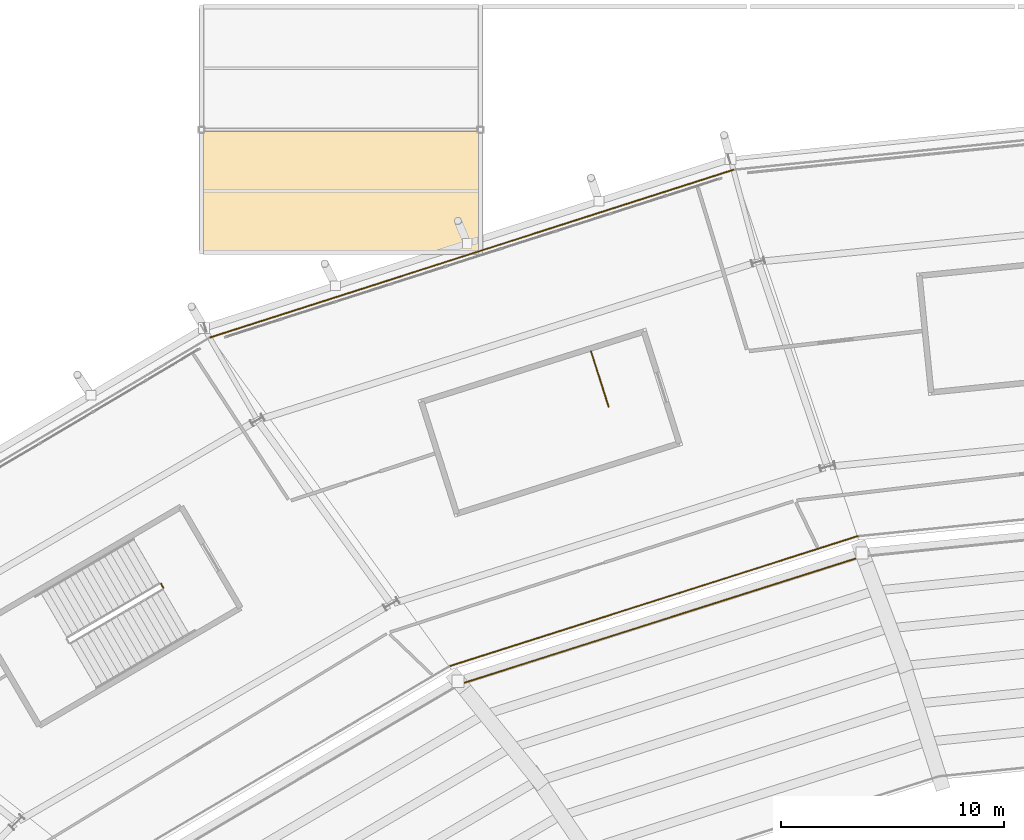
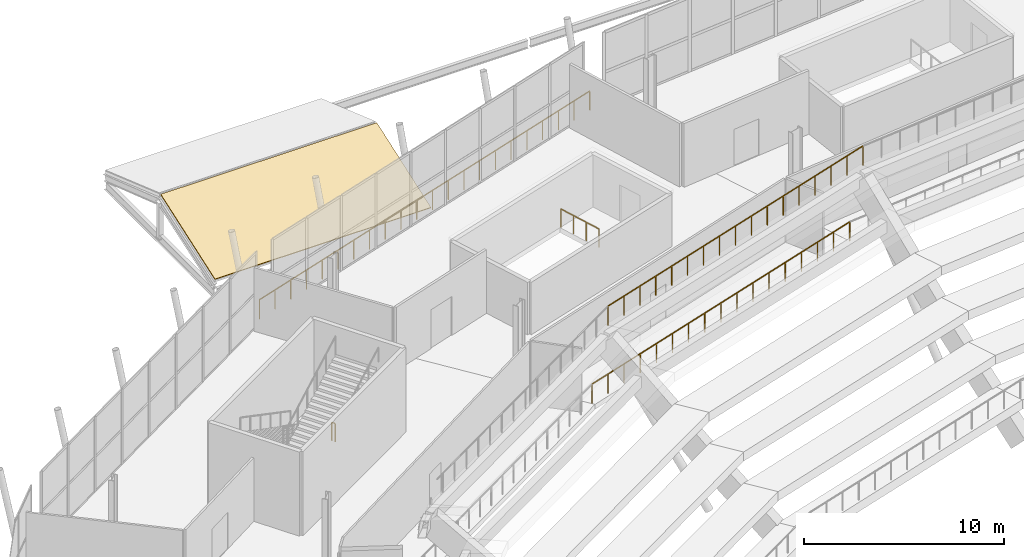
# One storey, part 123 of 126: 5 railings, 1 covering, 1 element without a shape of its own.
"""IFC4 building model written with IfcOpenShell, lengths in metres."""

from ifc_helpers import new_model, si_unit, direction, frame, origin, origin_2d, place, context, subcontext, project, spatial, polyline, rectangle, outline, extrude, material, layer, layer_set, type_object, element, aggregate, save


model = new_model("IFC4")

# Units and contexts
model_context = context("Model", 3, precision=1e-05, world=origin(), true_north=direction((0.0, 1.0)))
body_context = subcontext(model_context, "Body", "Model", "MODEL_VIEW")
ifc_project = project(units=[si_unit("LENGTHUNIT", "METRE"), si_unit("AREAUNIT", "SQUARE_METRE"), si_unit("VOLUMEUNIT", "CUBIC_METRE"), si_unit("PLANEANGLEUNIT", "RADIAN"), si_unit("MASSUNIT", "GRAM", prefix="KILO")], contexts=[model_context])

# Site, building, storey
site_placement = place(None, origin())
site = spatial("IfcSite", under=ifc_project, at=site_placement, CompositionType="ELEMENT")
building_placement = place(site_placement, origin())
building = spatial("IfcBuilding", under=site, at=building_placement, Name="Zlatoyarsky Gate Stadium", CompositionType="ELEMENT")
storey_placement = place(building_placement, frame((0.0, 0.0, 20.800048828125)))
storey = spatial("IfcBuildingStorey", under=building, at=storey_placement, Name="L04", CompositionType="ELEMENT", Elevation=20.800048828125)

# Railings
ifc_material_1 = material(Name="Powder-coated steel tubular guardrail", Category="steel")
railing_type_1 = type_object("IfcRailingType", Name="CONCOURSE SLAB EDGE GUARDRAIL 1200", PredefinedType="GUARDRAIL", material=ifc_material_1)
railing_1_placement = place(storey_placement, frame((91.62744140625, 135.395751953125, 5.099853515625)))
element("IfcRailing", 1, at=railing_1_placement, inside=storey, type_object=railing_type_1, Name="Upper bowl back guardrail 07", PredefinedType="GUARDRAIL", context=body_context, shape_type="SweptSolid", body=[
    extrude(rectangle(XDim=0.048095703125, YDim=0.048095703125, at=origin_2d()), frame((0.0, 0.0, 1.17578125), z_axis=(-0.953150168242, -0.302497531858, 0.0), x_axis=(0.302497531858, -0.953150168242, 0.0)), (0.0, 0.0, 1.0), 18.939697265625),
    extrude(rectangle(XDim=0.0419921875, YDim=0.0419921875, at=origin_2d()), origin(), (0.0, 0.0, 1.0), 1.15185546875),
    extrude(rectangle(XDim=0.0419921875, YDim=0.0419921875, at=origin_2d()), frame((-1.128173828125, -0.358154296875, 0.0)), (0.0, 0.0, 1.0), 1.15185546875),
    extrude(rectangle(XDim=0.0419921875, YDim=0.0419921875, at=origin_2d()), frame((-2.256591796875, -0.716064453125, 0.0)), (0.0, 0.0, 1.0), 1.15185546875),
    extrude(rectangle(XDim=0.0419921875, YDim=0.0419921875, at=origin_2d()), frame((-3.384765625, -1.07421875, 0.0)), (0.0, 0.0, 1.0), 1.15185546875),
    extrude(rectangle(XDim=0.0419921875, YDim=0.0419921875, at=origin_2d()), frame((-4.51318359375, -1.432373046875, 0.0)), (0.0, 0.0, 1.0), 1.15185546875),
    extrude(rectangle(XDim=0.0419921875, YDim=0.0419921875, at=origin_2d()), frame((-5.641357421875, -1.790283203125, 0.0)), (0.0, 0.0, 1.0), 1.15185546875),
    extrude(rectangle(XDim=0.0419921875, YDim=0.0419921875, at=origin_2d()), frame((-6.769775390625, -2.1484375, 0.0)), (0.0, 0.0, 1.0), 1.15185546875),
    extrude(rectangle(XDim=0.0419921875, YDim=0.0419921875, at=origin_2d()), frame((-7.89794921875, -2.506591796875, 0.0)), (0.0, 0.0, 1.0), 1.15185546875),
    extrude(rectangle(XDim=0.0419921875, YDim=0.0419921875, at=origin_2d()), frame((-9.0263671875, -2.86474609375, 0.0)), (0.0, 0.0, 1.0), 1.15185546875),
    extrude(rectangle(XDim=0.0419921875, YDim=0.0419921875, at=origin_2d()), frame((-10.154541015625, -3.22265625, 0.0)), (0.0, 0.0, 1.0), 1.15185546875),
    extrude(rectangle(XDim=0.0419921875, YDim=0.0419921875, at=origin_2d()), frame((-11.28271484375, -3.580810546875, 0.0)), (0.0, 0.0, 1.0), 1.15185546875),
    extrude(rectangle(XDim=0.0419921875, YDim=0.0419921875, at=origin_2d()), frame((-12.4111328125, -3.93896484375, 0.0)), (0.0, 0.0, 1.0), 1.15185546875),
    extrude(rectangle(XDim=0.0419921875, YDim=0.0419921875, at=origin_2d()), frame((-13.539306640625, -4.296875, 0.0)), (0.0, 0.0, 1.0), 1.15185546875),
    extrude(rectangle(XDim=0.0419921875, YDim=0.0419921875, at=origin_2d()), frame((-14.667724609375, -4.655029296875, 0.0)), (0.0, 0.0, 1.0), 1.15185546875),
    extrude(rectangle(XDim=0.0419921875, YDim=0.0419921875, at=origin_2d()), frame((-15.7958984375, -5.01318359375, 0.0)), (0.0, 0.0, 1.0), 1.15185546875),
    extrude(rectangle(XDim=0.0419921875, YDim=0.0419921875, at=origin_2d()), frame((-16.92431640625, -5.37109375, 0.0)), (0.0, 0.0, 1.0), 1.15185546875),
    extrude(rectangle(XDim=0.0419921875, YDim=0.0419921875, at=origin_2d()), frame((-18.052490234375, -5.729248046875, 0.0)), (0.0, 0.0, 1.0), 1.15185546875),
])
railing_2_placement = place(storey_placement, frame((91.38671875, 136.294189453125, 0.0)))
element("IfcRailing", 2, at=railing_2_placement, inside=storey, type_object=railing_type_1, Name="L04 inner bowl edge guardrail 07", PredefinedType="GUARDRAIL", context=body_context, shape_type="SweptSolid", body=[
    extrude(rectangle(XDim=0.048095703125, YDim=0.048095703125, at=origin_2d()), frame((0.0, 0.0, 1.17578125), z_axis=(-0.952820580538, -0.303534085901, 0.0), x_axis=(0.303534085901, -0.952820580538, 0.0)), (0.0, 0.0, 1.0), 19.181640625),
    extrude(rectangle(XDim=0.0419921875, YDim=0.0419921875, at=origin_2d()), origin(), (0.0, 0.0, 1.0), 1.15185546875),
    extrude(rectangle(XDim=0.0419921875, YDim=0.0419921875, at=origin_2d()), frame((-1.142333984375, -0.36376953125, 0.0)), (0.0, 0.0, 1.0), 1.15185546875),
    extrude(rectangle(XDim=0.0419921875, YDim=0.0419921875, at=origin_2d()), frame((-2.28466796875, -0.727783203125, 0.0)), (0.0, 0.0, 1.0), 1.15185546875),
    extrude(rectangle(XDim=0.0419921875, YDim=0.0419921875, at=origin_2d()), frame((-3.4267578125, -1.091796875, 0.0)), (0.0, 0.0, 1.0), 1.15185546875),
    extrude(rectangle(XDim=0.0419921875, YDim=0.0419921875, at=origin_2d()), frame((-4.569091796875, -1.45556640625, 0.0)), (0.0, 0.0, 1.0), 1.15185546875),
    extrude(rectangle(XDim=0.0419921875, YDim=0.0419921875, at=origin_2d()), frame((-5.71142578125, -1.8193359375, 0.0)), (0.0, 0.0, 1.0), 1.15185546875),
    extrude(rectangle(XDim=0.0419921875, YDim=0.0419921875, at=origin_2d()), frame((-6.853759765625, -2.183349609375, 0.0)), (0.0, 0.0, 1.0), 1.15185546875),
    extrude(rectangle(XDim=0.0419921875, YDim=0.0419921875, at=origin_2d()), frame((-7.99609375, -2.54736328125, 0.0)), (0.0, 0.0, 1.0), 1.15185546875),
    extrude(rectangle(XDim=0.0419921875, YDim=0.0419921875, at=origin_2d()), frame((-9.13818359375, -2.9111328125, 0.0)), (0.0, 0.0, 1.0), 1.15185546875),
    extrude(rectangle(XDim=0.0419921875, YDim=0.0419921875, at=origin_2d()), frame((-10.280517578125, -3.27490234375, 0.0)), (0.0, 0.0, 1.0), 1.15185546875),
    extrude(rectangle(XDim=0.0419921875, YDim=0.0419921875, at=origin_2d()), frame((-11.4228515625, -3.638916015625, 0.0)), (0.0, 0.0, 1.0), 1.15185546875),
    extrude(rectangle(XDim=0.0419921875, YDim=0.0419921875, at=origin_2d()), frame((-12.565185546875, -4.0029296875, 0.0)), (0.0, 0.0, 1.0), 1.15185546875),
    extrude(rectangle(XDim=0.0419921875, YDim=0.0419921875, at=origin_2d()), frame((-13.70751953125, -4.36669921875, 0.0)), (0.0, 0.0, 1.0), 1.15185546875),
    extrude(rectangle(XDim=0.0419921875, YDim=0.0419921875, at=origin_2d()), frame((-14.849853515625, -4.73046875, 0.0)), (0.0, 0.0, 1.0), 1.15185546875),
    extrude(rectangle(XDim=0.0419921875, YDim=0.0419921875, at=origin_2d()), frame((-15.991943359375, -5.094482421875, 0.0)), (0.0, 0.0, 1.0), 1.15185546875),
    extrude(rectangle(XDim=0.0419921875, YDim=0.0419921875, at=origin_2d()), frame((-17.13427734375, -5.45849609375, 0.0)), (0.0, 0.0, 1.0), 1.15185546875),
    extrude(rectangle(XDim=0.0419921875, YDim=0.0419921875, at=origin_2d()), frame((-18.276611328125, -5.822265625, 0.0)), (0.0, 0.0, 1.0), 1.15185546875),
])
railing_3_placement = place(storey_placement, frame((85.82470703125, 152.704833984375, 0.0)))
element("IfcRailing", 3, at=railing_3_placement, inside=storey, type_object=railing_type_1, Name="L04 outer slab edge guardrail 07", PredefinedType="GUARDRAIL", context=body_context, shape_type="SweptSolid", body=[
    extrude(rectangle(XDim=0.048095703125, YDim=0.048095703125, at=origin_2d()), frame((0.0, 0.0, 1.17578125), z_axis=(-0.95227674854, -0.305235964773, 0.0), x_axis=(0.305235964773, -0.95227674854, 0.0)), (0.0, 0.0, 1.0), 24.63525390625),
    extrude(rectangle(XDim=0.0419921875, YDim=0.0419921875, at=origin_2d()), origin(), (0.0, 0.0, 1.0), 1.15185546875),
    extrude(rectangle(XDim=0.0419921875, YDim=0.0419921875, at=origin_2d()), frame((-1.1171875, -0.358154296875, 0.0)), (0.0, 0.0, 1.0), 1.15185546875),
    extrude(rectangle(XDim=0.0419921875, YDim=0.0419921875, at=origin_2d()), frame((-2.234130859375, -0.716064453125, 0.0)), (0.0, 0.0, 1.0), 1.15185546875),
    extrude(rectangle(XDim=0.0419921875, YDim=0.0419921875, at=origin_2d()), frame((-3.351318359375, -1.07421875, 0.0)), (0.0, 0.0, 1.0), 1.15185546875),
    extrude(rectangle(XDim=0.0419921875, YDim=0.0419921875, at=origin_2d()), frame((-4.468505859375, -1.432373046875, 0.0)), (0.0, 0.0, 1.0), 1.15185546875),
    extrude(rectangle(XDim=0.0419921875, YDim=0.0419921875, at=origin_2d()), frame((-5.585693359375, -1.790283203125, 0.0)), (0.0, 0.0, 1.0), 1.15185546875),
    extrude(rectangle(XDim=0.0419921875, YDim=0.0419921875, at=origin_2d()), frame((-6.70263671875, -2.1484375, 0.0)), (0.0, 0.0, 1.0), 1.15185546875),
    extrude(rectangle(XDim=0.0419921875, YDim=0.0419921875, at=origin_2d()), frame((-7.81982421875, -2.506591796875, 0.0)), (0.0, 0.0, 1.0), 1.15185546875),
    extrude(rectangle(XDim=0.0419921875, YDim=0.0419921875, at=origin_2d()), frame((-8.93701171875, -2.864501953125, 0.0)), (0.0, 0.0, 1.0), 1.15185546875),
    extrude(rectangle(XDim=0.0419921875, YDim=0.0419921875, at=origin_2d()), frame((-10.053955078125, -3.22265625, 0.0)), (0.0, 0.0, 1.0), 1.15185546875),
    extrude(rectangle(XDim=0.0419921875, YDim=0.0419921875, at=origin_2d()), frame((-11.171142578125, -3.580810546875, 0.0)), (0.0, 0.0, 1.0), 1.15185546875),
    extrude(rectangle(XDim=0.0419921875, YDim=0.0419921875, at=origin_2d()), frame((-12.288330078125, -3.938720703125, 0.0)), (0.0, 0.0, 1.0), 1.15185546875),
    extrude(rectangle(XDim=0.0419921875, YDim=0.0419921875, at=origin_2d()), frame((-13.405517578125, -4.296875, 0.0)), (0.0, 0.0, 1.0), 1.15185546875),
    extrude(rectangle(XDim=0.0419921875, YDim=0.0419921875, at=origin_2d()), frame((-14.5224609375, -4.655029296875, 0.0)), (0.0, 0.0, 1.0), 1.15185546875),
    extrude(rectangle(XDim=0.0419921875, YDim=0.0419921875, at=origin_2d()), frame((-15.6396484375, -5.012939453125, 0.0)), (0.0, 0.0, 1.0), 1.15185546875),
    extrude(rectangle(XDim=0.0419921875, YDim=0.0419921875, at=origin_2d()), frame((-16.7568359375, -5.37109375, 0.0)), (0.0, 0.0, 1.0), 1.15185546875),
    extrude(rectangle(XDim=0.0419921875, YDim=0.0419921875, at=origin_2d()), frame((-17.873779296875, -5.729248046875, 0.0)), (0.0, 0.0, 1.0), 1.15185546875),
    extrude(rectangle(XDim=0.0419921875, YDim=0.0419921875, at=origin_2d()), frame((-18.990966796875, -6.087158203125, 0.0)), (0.0, 0.0, 1.0), 1.15185546875),
    extrude(rectangle(XDim=0.0419921875, YDim=0.0419921875, at=origin_2d()), frame((-20.108154296875, -6.4453125, 0.0)), (0.0, 0.0, 1.0), 1.15185546875),
    extrude(rectangle(XDim=0.0419921875, YDim=0.0419921875, at=origin_2d()), frame((-21.225341796875, -6.803466796875, 0.0)), (0.0, 0.0, 1.0), 1.15185546875),
    extrude(rectangle(XDim=0.0419921875, YDim=0.0419921875, at=origin_2d()), frame((-22.34228515625, -7.161376953125, 0.0)), (0.0, 0.0, 1.0), 1.15185546875),
    extrude(rectangle(XDim=0.0419921875, YDim=0.0419921875, at=origin_2d()), frame((-23.45947265625, -7.51953125, 0.0)), (0.0, 0.0, 1.0), 1.15185546875),
])
ifc_material_2 = material(Name="Powder-coated steel stair guardrail", Category="steel")
railing_type_2 = type_object("IfcRailingType", Name="PAINTED STEEL STAIR WELL GUARDRAIL 1150", PredefinedType="GUARDRAIL", material=ifc_material_2)
railing_4_placement = place(storey_placement, frame((60.190673828125, 134.158935546875, 0.0)))
element("IfcRailing", 4, at=railing_4_placement, inside=storey, type_object=railing_type_2, Name="ST-05 L04 stair guard 4", PredefinedType="GUARDRAIL", context=body_context, shape_type="SweptSolid", body=[
    extrude(rectangle(XDim=0.048095703125, YDim=0.048095703125, at=origin_2d()), frame((0.0, 0.0, 1.1259765625), z_axis=(0.505312229679, -0.862936585467, 0.0), x_axis=(0.862936585467, 0.505312229679, 0.0)), (0.0, 0.0, 1.0), 0.199951171875),
    extrude(rectangle(XDim=0.0419921875, YDim=0.0419921875, at=origin_2d()), origin(), (0.0, 0.0, 1.0), 1.101806640625),
    extrude(rectangle(XDim=0.0419921875, YDim=0.0419921875, at=origin_2d()), frame((0.10107421875, -0.172607421875, 0.0)), (0.0, 0.0, 1.0), 1.101806640625),
])
railing_5_placement = place(storey_placement, frame((79.44775390625, 144.577392578125, 0.0)))
element("IfcRailing", 5, at=railing_5_placement, inside=storey, type_object=railing_type_2, Name="ST-14 L04 top well guard 1", PredefinedType="GUARDRAIL", context=body_context, shape_type="SweptSolid", body=[
    extrude(rectangle(XDim=0.048095703125, YDim=0.048095703125, at=origin_2d()), frame((0.0, 0.0, 1.1259765625), z_axis=(0.301513330468, -0.95346196125, 0.0), x_axis=(0.95346196125, 0.301513330468, 0.0)), (0.0, 0.0, 1.0), 2.60009765625),
    extrude(rectangle(XDim=0.0419921875, YDim=0.0419921875, at=origin_2d()), origin(), (0.0, 0.0, 1.0), 1.101806640625),
    extrude(rectangle(XDim=0.0419921875, YDim=0.0419921875, at=origin_2d()), frame((0.26123046875, -0.826416015625, 0.0)), (0.0, 0.0, 1.0), 1.101806640625),
    extrude(rectangle(XDim=0.0419921875, YDim=0.0419921875, at=origin_2d()), frame((0.522705078125, -1.652587890625, 0.0)), (0.0, 0.0, 1.0), 1.101806640625),
    extrude(rectangle(XDim=0.0419921875, YDim=0.0419921875, at=origin_2d()), frame((0.783935546875, -2.47900390625, 0.0)), (0.0, 0.0, 1.0), 1.101806640625),
])

# Roof, covering
ifc_material_3 = material(Name="Standing-seam aluminium-zinc roofing with mineral wool insulation", Category="aluminium")
ifc_layer_1 = layer(ifc_material_3, 0.080078125)
ifc_layer_set_1 = layer_set([ifc_layer_1], Name="Standing-seam aluminium-zinc roofing with mineral wool insulation")
roof_type = type_object("IfcRoofType", Name="STADIUM BARREL VAULT ROOF ASSEMBLY", PredefinedType="BARREL_ROOF", material=ifc_layer_set_1)
roof_placement = place(storey_placement, origin())
roof = element("IfcRoof", 6, at=roof_placement, inside=storey, type_object=roof_type, Name="V2_NORTH_W barrel roof", PredefinedType="BARREL_ROOF")
ifc_layer_2 = layer(ifc_material_3, 0.06005859375)
ifc_layer_set_2 = layer_set([ifc_layer_2], Name="Standing-seam aluminium-zinc roofing with mineral wool insulation")
covering_type = type_object("IfcCoveringType", Name="STANDING SEAM ALUMINIUM ZINC ROOFING 60", PredefinedType="ROOFING", material=ifc_layer_set_2)
covering_placement = place(storey_placement, frame((62.0, 149.0, 0.260009765625), z_axis=(0.0, -0.329578946053, 0.94412802009), x_axis=(1.0, 0.0, 0.0)))
covering = element("IfcCovering", 7, at=covering_placement, type_object=covering_type, Name="V2_NORTH_W standing seam roofing 1", PredefinedType="ROOFING", context=body_context, shape_type="SweptSolid", body=[
    extrude(outline(polyline([(0.0, 0.0), (12.5, 0.0), (12.5, 5.7520420397895435), (0.0, 5.7520420397895435), (0.0, 0.0)])), origin(), (0.0, 0.0, -1.0), 0.06005859375),
])
aggregate(roof, [covering])

save(model, "model.ifc")
